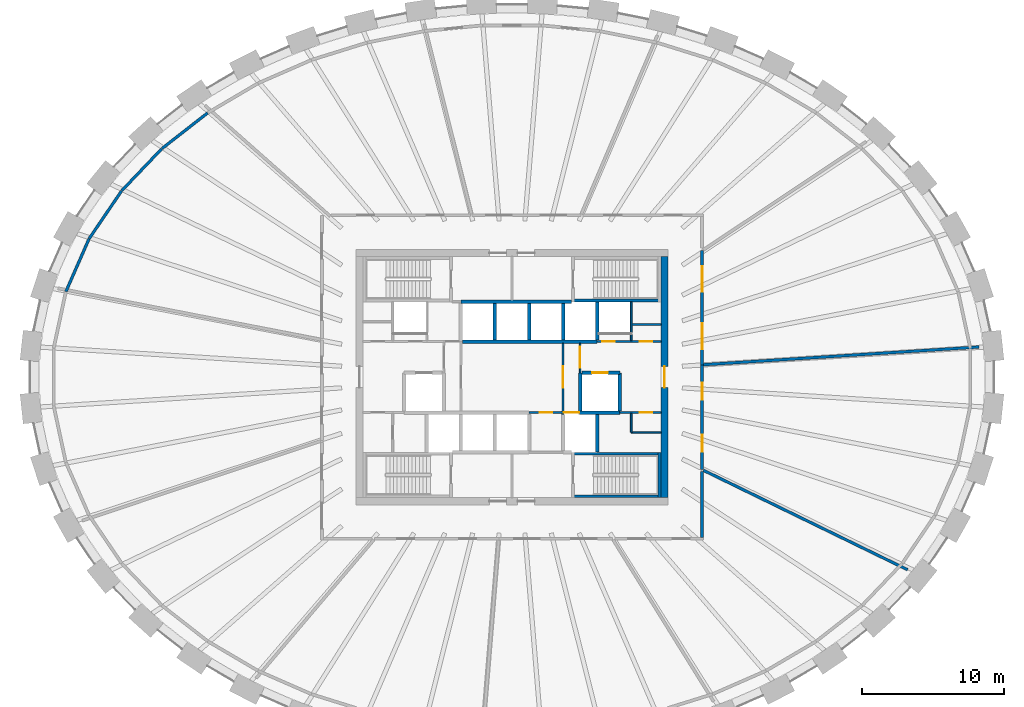
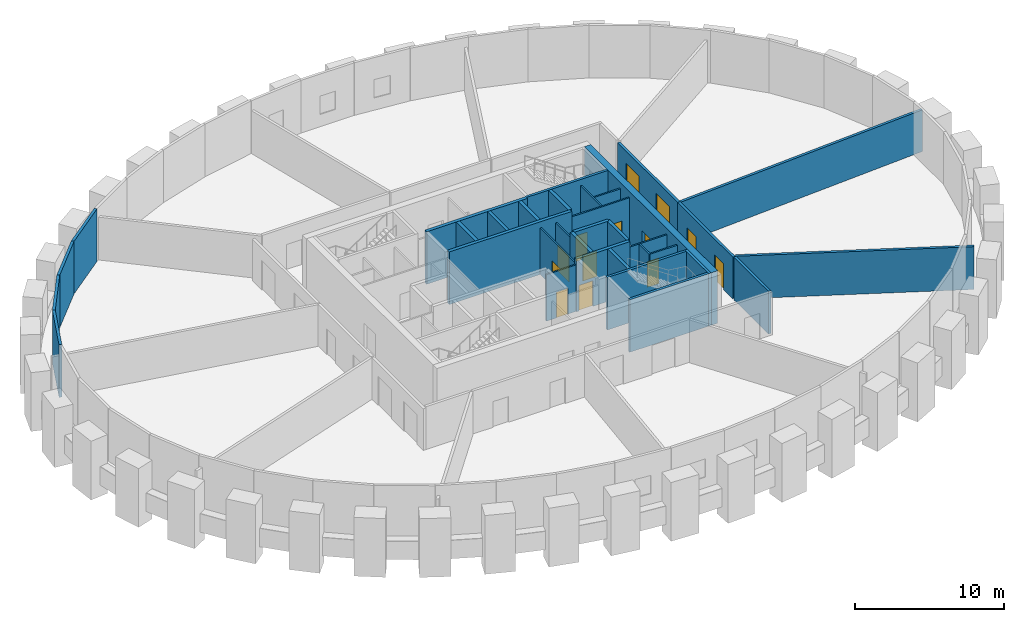
# One storey, part 5 of 8: 34 walls, 13 doors, 13 openings.
"""IFC4 building model written with IfcOpenShell, lengths in metres."""

from ifc_helpers import new_model, si_unit, direction, frame, frame_2d, origin, place, context, subcontext, project, spatial, rectangle, extrude, source, transform, mapped, material, layer, layer_set, type_object, element, fill, save


model = new_model("IFC4")

# Units and contexts
model_context = context("Model", 3, precision=1e-05, world=origin(), true_north=direction((0.0, 1.0)))
body_context = subcontext(model_context, "Body", "Model", "MODEL_VIEW")
ifc_project = project(units=[si_unit("LENGTHUNIT", "METRE"), si_unit("AREAUNIT", "SQUARE_METRE"), si_unit("VOLUMEUNIT", "CUBIC_METRE"), si_unit("PLANEANGLEUNIT", "RADIAN"), si_unit("MASSUNIT", "GRAM", prefix="KILO")], contexts=[model_context])

# Site, building, storey
site_placement = place(None, origin())
site = spatial("IfcSite", under=ifc_project, at=site_placement, CompositionType="ELEMENT")
building_placement = place(site_placement, origin())
building = spatial("IfcBuilding", under=site, at=building_placement, Name="Embergate Tower", CompositionType="ELEMENT")
storey_placement = place(building_placement, frame((0.0, 0.0, 241.60009765625)))
storey = spatial("IfcBuildingStorey", under=building, at=storey_placement, Name="L55", CompositionType="ELEMENT", Elevation=241.60009765625)

# Wall, opening, door
ifc_material_1 = material(Name="Concrete C50", Category="concrete")
ifc_layer_1 = layer(ifc_material_1, 0.5)
ifc_layer_set_1 = layer_set([ifc_layer_1], Name="Concrete C50")
wall_type_1 = type_object("IfcWallType", Name="Core outer wall C50 500", PredefinedType="SHEAR", material=ifc_layer_set_1)
shared_shape_1 = source(origin(), body_context, "Body", "SweptSolid", [
    extrude(rectangle(XDim=17.0, YDim=0.5, at=frame_2d((8.5, 0.0))), origin(), (0.0, 0.0, 1.0), 4.2998046875),
])
wall_1_placement = place(storey_placement, frame((10.75, -8.5, 0.0), z_axis=(0.0, 0.0, 1.0), x_axis=(0.0, 1.0, 0.0)))
wall_1 = element("IfcWall", 1, at=wall_1_placement, inside=storey, type_object=wall_type_1, Name="CW-L55-E", PredefinedType="SHEAR", context=body_context, shape_type="MappedRepresentation", body=[
    mapped(shared_shape_1, transform((0.0, 0.0, 0.0))),
])
shared_shape_2 = source(origin(), body_context, "Body", "SweptSolid", [
    extrude(rectangle(XDim=1.5, YDim=2.10009765625, at=frame_2d((0.75, 1.050048828125))), frame((0.0, 0.260009765625, 0.0), z_axis=(0.0, -1.0, 0.0), x_axis=(1.0, 0.0, 0.0)), (0.0, 0.0, 1.0), 0.52001953125),
])
opening_1_placement = place(wall_1_placement, frame((7.75, 0.0, 0.0)))
opening_1 = element("IfcOpeningElement", 2, at=opening_1_placement, cuts=wall_1, Name="Opening IF-3", PredefinedType="OPENING", context=body_context, shape_type="MappedRepresentation", body=[
    mapped(shared_shape_2, transform((0.0, 0.0, 0.0))),
])
ifc_material_2 = material(Name="Lobby fire door pair 1500")
door_type_1 = type_object("IfcDoorType", Name="Lobby fire door pair 1500", OperationType="DOUBLE_DOOR_SINGLE_SWING", PredefinedType="DOOR", material=ifc_material_2)
shared_shape_3 = source(origin(), body_context, "Body", "SweptSolid", [
    extrude(rectangle(XDim=1.5, YDim=2.10009765625, at=frame_2d((0.75, 1.050048828125))), frame((0.0, 0.02490234375, 0.0), z_axis=(0.0, -1.0, 0.0), x_axis=(1.0, 0.0, 0.0)), (0.0, 0.0, 1.0), 0.050048828125),
])
door_1_placement = place(opening_1_placement, origin())
door_1 = element("IfcDoor", 3, at=door_1_placement, inside=storey, type_object=door_type_1, Name="IF-3 door", OperationType="DOUBLE_DOOR_SINGLE_SWING", OverallHeight=2.10009765625, OverallWidth=1.5, PredefinedType="DOOR", context=body_context, shape_type="MappedRepresentation", body=[
    mapped(shared_shape_3, transform((0.0, 0.0, 0.0))),
])
fill(opening_1, door_1)

# Walls
ifc_material_3 = material(Name="Terracotta louvre cladding on insulated backing", Category="masonry")
ifc_layer_2 = layer(ifc_material_3, 0.199951171875)
ifc_layer_set_2 = layer_set([ifc_layer_2], Name="Terracotta louvre cladding on insulated backing")
wall_type_2 = type_object("IfcWallType", Name="Terracotta louvre wall", PredefinedType="SOLIDWALL", material=ifc_layer_set_2)
shared_shape_4 = source(origin(), body_context, "Body", "SweptSolid", [
    extrude(rectangle(XDim=4.057861328125, YDim=0.199951171875, at=frame_2d((2.02880859375, 0.0))), origin(), (0.0, 0.0, 1.0), 4.2998046875),
])
wall_2_placement = place(storey_placement, frame((-31.4345703125, 6.023193359375, 0.0), z_axis=(0.0, 0.0, 1.0), x_axis=(0.401667691824, 0.915785490901, 0.0)))
element("IfcWall", 4, at=wall_2_placement, inside=storey, type_object=wall_type_2, Name="Louvre wall 20", PredefinedType="SOLIDWALL", context=body_context, shape_type="MappedRepresentation", body=[
    mapped(shared_shape_4, transform((0.0, 0.0, 0.0))),
])
shared_shape_5 = source(origin(), body_context, "Body", "SweptSolid", [
    extrude(rectangle(XDim=4.066650390625, YDim=0.199951171875, at=frame_2d((2.033203125, 0.0))), origin(), (0.0, 0.0, 1.0), 4.2998046875),
])
wall_3_placement = place(storey_placement, frame((-29.794921875, 9.756591796875, 0.0), z_axis=(0.0, 0.0, 1.0), x_axis=(0.562337936213, 0.826907519312, 0.0)))
element("IfcWall", 5, at=wall_3_placement, inside=storey, type_object=wall_type_2, Name="Louvre wall 19", PredefinedType="SOLIDWALL", context=body_context, shape_type="MappedRepresentation", body=[
    mapped(shared_shape_5, transform((0.0, 0.0, 0.0))),
])
shared_shape_6 = source(origin(), body_context, "Body", "SweptSolid", [
    extrude(rectangle(XDim=4.0751953125, YDim=0.199951171875, at=frame_2d((2.03759765625, 0.0))), origin(), (0.0, 0.0, 1.0), 4.2998046875),
])
wall_4_placement = place(storey_placement, frame((-27.49560546875, 13.135009765625, 0.0), z_axis=(0.0, 0.0, 1.0), x_axis=(0.690133711383, 0.723681877908, 0.0)))
element("IfcWall", 6, at=wall_4_placement, inside=storey, type_object=wall_type_2, Name="Louvre wall 18", PredefinedType="SOLIDWALL", context=body_context, shape_type="MappedRepresentation", body=[
    mapped(shared_shape_6, transform((0.0, 0.0, 0.0))),
])
shared_shape_7 = source(origin(), body_context, "Body", "SweptSolid", [
    extrude(rectangle(XDim=4.0830078125, YDim=0.199951171875, at=frame_2d((2.04150390625, 0.0))), origin(), (0.0, 0.0, 1.0), 4.2998046875),
])
wall_5_placement = place(storey_placement, frame((-24.668212890625, 16.09765625, 0.0), z_axis=(0.0, 0.0, 1.0), x_axis=(0.788314368781, 0.615272667988, 0.0)))
element("IfcWall", 7, at=wall_5_placement, inside=storey, type_object=wall_type_2, Name="Louvre wall 17", PredefinedType="SOLIDWALL", context=body_context, shape_type="MappedRepresentation", body=[
    mapped(shared_shape_7, transform((0.0, 0.0, 0.0))),
])
ifc_layer_3 = layer(ifc_material_1, 0.25)
ifc_layer_set_3 = layer_set([ifc_layer_3], Name="Concrete C50")
wall_type_3 = type_object("IfcWallType", Name="Hoistway wall reinforced concrete 250", PredefinedType="SHEAR", material=ifc_layer_set_3)
shared_shape_8 = source(origin(), body_context, "Body", "SweptSolid", [
    extrude(rectangle(XDim=2.675048828125, YDim=0.25, at=frame_2d((1.33740234375, 0.0))), origin(), (0.0, 0.0, 1.0), 4.2998046875),
])
for number, where, z_axis, x_axis, name in (
    (8, (6.0, 2.625, 0.0), (0.0, 0.0, 1.0), (0.0, 1.0, 0.0), "HW-1 wall"),
    (9, (4.800048828125, -2.375, 0.0), (0.0, 0.0, 1.0), (0.0, 1.0, 0.0), "HW-1 wall"),
):
    element("IfcWall", number, at=place(storey_placement, frame(where, z_axis=z_axis, x_axis=x_axis)), inside=storey, type_object=wall_type_3, Name=name, PredefinedType="SHEAR", context=body_context, shape_type="MappedRepresentation", body=[
        mapped(shared_shape_8, transform((0.0, 0.0, 0.0))),
    ])

# Wall, opening, door
wall_6_placement = place(storey_placement, frame((7.60009765625, 0.300048828125, 0.0), z_axis=(0.0, 0.0, 1.0), x_axis=(-1.0, 0.0, 0.0)))
wall_6 = element("IfcWall", 10, at=wall_6_placement, inside=storey, type_object=wall_type_3, Name="HW-1 wall", PredefinedType="SHEAR", context=body_context, shape_type="MappedRepresentation", body=[
    mapped(shared_shape_8, transform((0.0, 0.0, 0.0))),
])
shared_shape_9 = source(origin(), body_context, "Body", "SweptSolid", [
    extrude(rectangle(XDim=1.10009765625, YDim=2.10009765625, at=frame_2d((0.550048828125, 1.050048828125))), frame((0.0, 0.135009765625, 0.0), z_axis=(0.0, -1.0, 0.0), x_axis=(1.0, 0.0, 0.0)), (0.0, 0.0, 1.0), 0.27001953125),
])
opening_2_placement = place(wall_6_placement, frame((0.85009765625, 0.0, 0.0)))
opening_2 = element("IfcOpeningElement", 11, at=opening_2_placement, cuts=wall_6, Name="Opening LD", PredefinedType="OPENING", context=body_context, shape_type="MappedRepresentation", body=[
    mapped(shared_shape_9, transform((0.0, 0.0, 0.0))),
])
ifc_material_4 = material(Name="Landing door sliding 1100")
door_type_2 = type_object("IfcDoorType", Name="Landing door sliding 1100", OperationType="SLIDING_TO_LEFT", PredefinedType="DOOR", material=ifc_material_4)
shared_shape_10 = source(origin(), body_context, "Body", "SweptSolid", [
    extrude(rectangle(XDim=1.10009765625, YDim=2.10009765625, at=frame_2d((0.550048828125, 1.050048828125))), frame((0.0, 0.02490234375, 0.0), z_axis=(0.0, -1.0, 0.0), x_axis=(1.0, 0.0, 0.0)), (0.0, 0.0, 1.0), 0.050048828125),
])
door_2_placement = place(opening_2_placement, origin())
door_2 = element("IfcDoor", 12, at=door_2_placement, inside=storey, type_object=door_type_2, Name="LD door", OperationType="SLIDING_TO_LEFT", OverallHeight=2.10009765625, OverallWidth=1.10009765625, PredefinedType="DOOR", context=body_context, shape_type="MappedRepresentation", body=[
    mapped(shared_shape_10, transform((0.0, 0.0, 0.0))),
])
fill(opening_2, door_2)

# Walls
wall_7_placement = place(storey_placement, frame((7.60009765625, -2.375, 0.0), z_axis=(0.0, 0.0, 1.0), x_axis=(0.0, 1.0, 0.0)))
element("IfcWall", 13, at=wall_7_placement, inside=storey, type_object=wall_type_3, Name="HW-1 wall", PredefinedType="SHEAR", context=body_context, shape_type="MappedRepresentation", body=[
    mapped(shared_shape_8, transform((0.0, 0.0, 0.0))),
])
ifc_layer_4 = layer(ifc_material_1, 0.199951171875)
ifc_layer_set_4 = layer_set([ifc_layer_4], Name="Concrete C50")
wall_type_4 = type_object("IfcWallType", Name="Stair enclosure wall reinforced concrete 250", PredefinedType="SHEAR", material=ifc_layer_set_4)
shared_shape_11 = source(origin(), body_context, "Body", "SweptSolid", [
    extrude(rectangle(XDim=6.300048828125, YDim=0.199951171875, at=frame_2d((3.14990234375, 0.0))), origin(), (0.0, 0.0, 1.0), 4.2998046875),
])
for number, where, z_axis, x_axis, name in (
    (14, (10.5, 5.39990234375, 0.0), (0.0, 0.0, 1.0), (-1.0, 0.0, 0.0), "SE-1 wall"),
    (15, (4.199951171875, -5.39990234375, 0.0), (0.0, 0.0, 1.0), (1.0, 0.0, 0.0), "SE-1 wall"),
):
    element("IfcWall", number, at=place(storey_placement, frame(where, z_axis=z_axis, x_axis=x_axis)), inside=storey, type_object=wall_type_4, Name=name, PredefinedType="SHEAR", context=body_context, shape_type="MappedRepresentation", body=[
        mapped(shared_shape_11, transform((0.0, 0.0, 0.0))),
    ])
shared_shape_12 = source(origin(), body_context, "Body", "SweptSolid", [
    extrude(rectangle(XDim=2.550048828125, YDim=0.25, at=frame_2d((1.27490234375, 0.0))), origin(), (0.0, 0.0, 1.0), 4.2998046875),
])
for number, where, z_axis, x_axis, name in (
    (16, (-1.199951171875, 2.625, 0.0), (0.0, 0.0, 1.0), (0.0, 1.0, 0.0), "HW-1 wall"),
    (17, (1.199951171875, 2.625, 0.0), (0.0, 0.0, 1.0), (0.0, 1.0, 0.0), "HW-1 wall"),
    (18, (3.60009765625, 2.625, 0.0), (0.0, 0.0, 1.0), (0.0, 1.0, 0.0), "HW-1 wall"),
):
    element("IfcWall", number, at=place(storey_placement, frame(where, z_axis=z_axis, x_axis=x_axis)), inside=storey, type_object=wall_type_3, Name=name, PredefinedType="SHEAR", context=body_context, shape_type="MappedRepresentation", body=[
        mapped(shared_shape_12, transform((0.0, 0.0, 0.0))),
    ])

# Wall, opening, door
ifc_material_5 = material(Name="Core partition blockwork 120")
ifc_layer_5 = layer(ifc_material_5, 0.1201171875)
ifc_layer_set_5 = layer_set([ifc_layer_5], Name="Core partition blockwork 120")
wall_type_5 = type_object("IfcWallType", Name="Core partition blockwork 120", PredefinedType="PARTITIONING", material=ifc_layer_set_5)
shared_shape_13 = source(origin(), body_context, "Body", "SweptSolid", [
    extrude(rectangle(XDim=4.75, YDim=0.1201171875, at=frame_2d((2.375, 0.0))), origin(), (0.0, 0.0, 1.0), 3.7998046875),
])
wall_8_placement = place(storey_placement, frame((3.60009765625, -2.375, 0.0), z_axis=(0.0, 0.0, 1.0), x_axis=(0.0, 1.0, 0.0)))
wall_8 = element("IfcWall", 19, at=wall_8_placement, inside=storey, type_object=wall_type_5, Name="IP-3 wall", PredefinedType="PARTITIONING", context=body_context, shape_type="MappedRepresentation", body=[
    mapped(shared_shape_13, transform((0.0, 0.0, 0.0))),
])
shared_shape_14 = source(origin(), body_context, "Body", "SweptSolid", [
    extrude(rectangle(XDim=1.5, YDim=2.10009765625, at=frame_2d((0.75, 1.050048828125))), frame((0.0, 0.070068359375, 0.0), z_axis=(0.0, -1.0, 0.0), x_axis=(1.0, 0.0, 0.0)), (0.0, 0.0, 1.0), 0.14013671875),
])
opening_3_placement = place(wall_8_placement, frame((1.625, 0.0, 0.0)))
opening_3 = element("IfcOpeningElement", 20, at=opening_3_placement, cuts=wall_8, Name="Opening IF-3", PredefinedType="OPENING", context=body_context, shape_type="MappedRepresentation", body=[
    mapped(shared_shape_14, transform((0.0, 0.0, 0.0))),
])
door_3_placement = place(opening_3_placement, origin())
door_3 = element("IfcDoor", 21, at=door_3_placement, inside=storey, type_object=door_type_1, Name="IF-3 door", OperationType="DOUBLE_DOOR_SINGLE_SWING", OverallHeight=2.10009765625, OverallWidth=1.5, PredefinedType="DOOR", context=body_context, shape_type="MappedRepresentation", body=[
    mapped(shared_shape_3, transform((0.0, 0.0, 0.0))),
])
fill(opening_3, door_3)

shared_shape_15 = source(origin(), body_context, "Body", "SweptSolid", [
    extrude(rectangle(XDim=2.074951171875, YDim=0.1201171875, at=frame_2d((1.03759765625, 0.0))), origin(), (0.0, 0.0, 1.0), 3.7998046875),
])
wall_9_placement = place(storey_placement, frame((4.800048828125, 0.300048828125, 0.0), z_axis=(0.0, 0.0, 1.0), x_axis=(0.0, 1.0, 0.0)))
wall_9 = element("IfcWall", 22, at=wall_9_placement, inside=storey, type_object=wall_type_5, Name="IP-3 wall", PredefinedType="PARTITIONING", context=body_context, shape_type="MappedRepresentation", body=[
    mapped(shared_shape_15, transform((0.0, 0.0, 0.0))),
])
opening_4_placement = place(wall_9_placement, frame((0.35009765625, 0.0, 0.0)))
opening_4 = element("IfcOpeningElement", 23, at=opening_4_placement, cuts=wall_9, Name="Opening IF-3", PredefinedType="OPENING", context=body_context, shape_type="MappedRepresentation", body=[
    mapped(shared_shape_14, transform((0.0, 0.0, 0.0))),
])
door_4_placement = place(opening_4_placement, origin())
door_4 = element("IfcDoor", 24, at=door_4_placement, inside=storey, type_object=door_type_1, Name="IF-3 door", OperationType="DOUBLE_DOOR_SINGLE_SWING", OverallHeight=2.10009765625, OverallWidth=1.5, PredefinedType="DOOR", context=body_context, shape_type="MappedRepresentation", body=[
    mapped(shared_shape_3, transform((0.0, 0.0, 0.0))),
])
fill(opening_4, door_4)

# Walls
shared_shape_16 = source(origin(), body_context, "Body", "SweptSolid", [
    extrude(rectangle(XDim=3.199951171875, YDim=0.199951171875, at=frame_2d((1.60009765625, 0.0))), origin(), (0.0, 0.0, 1.0), 4.2998046875),
])
wall_10_placement = place(storey_placement, frame((10.39990234375, -8.5, 0.0), z_axis=(0.0, 0.0, 1.0), x_axis=(0.0, 1.0, 0.0)))
element("IfcWall", 25, at=wall_10_placement, inside=storey, type_object=wall_type_4, Name="SE-1 wall", PredefinedType="SHEAR", context=body_context, shape_type="MappedRepresentation", body=[
    mapped(shared_shape_16, transform((0.0, 0.0, 0.0))),
])
shared_shape_17 = source(origin(), body_context, "Body", "SweptSolid", [
    extrude(rectangle(XDim=2.671142578125, YDim=0.25, at=frame_2d((1.33544921875, 0.0))), origin(), (0.0, 0.0, 1.0), 4.2998046875),
])
wall_11_placement = place(storey_placement, frame((6.0, -5.298095703125, 0.0), z_axis=(0.0, 0.0, 1.0), x_axis=(0.0, 1.0, 0.0)))
element("IfcWall", 26, at=wall_11_placement, inside=storey, type_object=wall_type_3, Name="HW-1 wall", PredefinedType="SHEAR", context=body_context, shape_type="MappedRepresentation", body=[
    mapped(shared_shape_17, transform((0.0, 0.0, 0.0))),
])
shared_shape_18 = source(origin(), body_context, "Body", "SweptSolid", [
    extrude(rectangle(XDim=2.738037109375, YDim=0.1201171875, at=frame_2d((1.369140625, 0.0))), origin(), (0.0, 0.0, 1.0), 3.7998046875),
])
wall_12_placement = place(storey_placement, frame((8.39990234375, 2.56005859375, 0.0), z_axis=(0.0, 0.0, 1.0), x_axis=(0.0, 1.0, 0.0)))
element("IfcWall", 27, at=wall_12_placement, inside=storey, type_object=wall_type_5, Name="IP-3 wall", PredefinedType="PARTITIONING", context=body_context, shape_type="MappedRepresentation", body=[
    mapped(shared_shape_18, transform((0.0, 0.0, 0.0))),
])
shared_shape_19 = source(origin(), body_context, "Body", "SweptSolid", [
    extrude(rectangle(XDim=9.47509765625, YDim=0.25, at=frame_2d((4.737548828125, 0.0))), origin(), (0.0, 0.0, 1.0), 4.2998046875),
])
wall_13_placement = place(storey_placement, frame((-3.47509765625, 2.5, 0.0), z_axis=(0.0, 0.0, 1.0), x_axis=(1.0, 0.0, 0.0)))
element("IfcWall", 28, at=wall_13_placement, inside=storey, type_object=wall_type_3, Name="HW-1 wall", PredefinedType="SHEAR", context=body_context, shape_type="MappedRepresentation", body=[
    mapped(shared_shape_19, transform((0.0, 0.0, 0.0))),
])
shared_shape_20 = source(origin(), body_context, "Body", "SweptSolid", [
    extrude(rectangle(XDim=7.800048828125, YDim=0.25, at=frame_2d((3.89990234375, 0.0))), origin(), (0.0, 0.0, 1.0), 4.2998046875),
])
wall_14_placement = place(storey_placement, frame((4.199951171875, 5.300048828125, 0.0), z_axis=(0.0, 0.0, 1.0), x_axis=(-1.0, 0.0, 0.0)))
element("IfcWall", 29, at=wall_14_placement, inside=storey, type_object=wall_type_3, Name="HW-1 wall", PredefinedType="SHEAR", context=body_context, shape_type="MappedRepresentation", body=[
    mapped(shared_shape_20, transform((0.0, 0.0, 0.0))),
])

# Wall, openings, doors
shared_shape_21 = source(origin(), body_context, "Body", "SweptSolid", [
    extrude(rectangle(XDim=4.5, YDim=0.1201171875, at=frame_2d((2.25, 0.0))), origin(), (0.0, 0.0, 1.0), 3.7998046875),
])
wall_15_placement = place(storey_placement, frame((6.0, 2.5, 0.0), z_axis=(0.0, 0.0, 1.0), x_axis=(1.0, 0.0, 0.0)))
wall_15 = element("IfcWall", 30, at=wall_15_placement, inside=storey, type_object=wall_type_5, Name="IP-3 wall", PredefinedType="PARTITIONING", context=body_context, shape_type="MappedRepresentation", body=[
    mapped(shared_shape_21, transform((0.0, 0.0, 0.0))),
])
shared_shape_22 = source(origin(), body_context, "Body", "SweptSolid", [
    extrude(rectangle(XDim=0.89990234375, YDim=2.10009765625, at=frame_2d((0.449951171875, 1.050048828125))), frame((0.0, 0.070068359375, 0.0), z_axis=(0.0, -1.0, 0.0), x_axis=(1.0, 0.0, 0.0)), (0.0, 0.0, 1.0), 0.14013671875),
])
opening_5_placement = place(wall_15_placement, frame((0.35009765625, 0.0, 0.0)))
opening_5 = element("IfcOpeningElement", 31, at=opening_5_placement, cuts=wall_15, Name="Opening ID-1", PredefinedType="OPENING", context=body_context, shape_type="MappedRepresentation", body=[
    mapped(shared_shape_22, transform((0.0, 0.0, 0.0))),
])
opening_6_placement = place(wall_15_placement, frame((3.0, 0.0, 0.0)))
opening_6 = element("IfcOpeningElement", 32, at=opening_6_placement, cuts=wall_15, Name="Opening ID-1", PredefinedType="OPENING", context=body_context, shape_type="MappedRepresentation", body=[
    mapped(shared_shape_22, transform((0.0, 0.0, 0.0))),
])
ifc_material_6 = material(Name="Interior door 900")
door_type_3 = type_object("IfcDoorType", Name="Interior door 900", OperationType="SINGLE_SWING_LEFT", PredefinedType="DOOR", material=ifc_material_6)
shared_shape_23 = source(origin(), body_context, "Body", "SweptSolid", [
    extrude(rectangle(XDim=0.89990234375, YDim=2.10009765625, at=frame_2d((0.449951171875, 1.050048828125))), frame((0.0, 0.02490234375, 0.0), z_axis=(0.0, -1.0, 0.0), x_axis=(1.0, 0.0, 0.0)), (0.0, 0.0, 1.0), 0.050048828125),
])
door_5_placement = place(opening_5_placement, origin())
door_5 = element("IfcDoor", 33, at=door_5_placement, inside=storey, type_object=door_type_3, Name="ID-1 door", OperationType="SINGLE_SWING_RIGHT", OverallHeight=2.10009765625, OverallWidth=0.89990234375, PredefinedType="DOOR", context=body_context, shape_type="MappedRepresentation", body=[
    mapped(shared_shape_23, transform((0.0, 0.0, 0.0))),
])
fill(opening_5, door_5)
door_6_placement = place(opening_6_placement, origin())
door_6 = element("IfcDoor", 34, at=door_6_placement, inside=storey, type_object=door_type_3, Name="ID-1 door", OperationType="SINGLE_SWING_LEFT", OverallHeight=2.10009765625, OverallWidth=0.89990234375, PredefinedType="DOOR", context=body_context, shape_type="MappedRepresentation", body=[
    mapped(shared_shape_23, transform((0.0, 0.0, 0.0))),
])
fill(opening_6, door_6)

# Wall, opening, door
shared_shape_24 = source(origin(), body_context, "Body", "SweptSolid", [
    extrude(rectangle(XDim=4.122802734375, YDim=0.25, at=frame_2d((2.0615234375, 0.0))), origin(), (0.0, 0.0, 1.0), 4.2998046875),
])
wall_16_placement = place(storey_placement, frame((7.597900390625, -2.5, 0.0), z_axis=(0.0, 0.0, 1.0), x_axis=(-1.0, 0.0, 0.0)))
wall_16 = element("IfcWall", 35, at=wall_16_placement, inside=storey, type_object=wall_type_3, Name="HW-1 wall", PredefinedType="SHEAR", context=body_context, shape_type="MappedRepresentation", body=[
    mapped(shared_shape_24, transform((0.0, 0.0, 0.0))),
])
opening_7_placement = place(wall_16_placement, frame((2.847900390625, 0.0, 0.0)))
opening_7 = element("IfcOpeningElement", 36, at=opening_7_placement, cuts=wall_16, Name="Opening LD", PredefinedType="OPENING", context=body_context, shape_type="MappedRepresentation", body=[
    mapped(shared_shape_9, transform((0.0, 0.0, 0.0))),
])
door_7_placement = place(opening_7_placement, origin())
door_7 = element("IfcDoor", 37, at=door_7_placement, inside=storey, type_object=door_type_2, Name="LD door", OperationType="SLIDING_TO_RIGHT", OverallHeight=2.10009765625, OverallWidth=1.10009765625, PredefinedType="DOOR", context=body_context, shape_type="MappedRepresentation", body=[
    mapped(shared_shape_10, transform((0.0, 0.0, 0.0))),
])
fill(opening_7, door_7)

shared_shape_25 = source(origin(), body_context, "Body", "SweptSolid", [
    extrude(rectangle(XDim=2.400146484375, YDim=0.1201171875, at=frame_2d((1.2001953125, 0.0))), origin(), (0.0, 0.0, 1.0), 3.7998046875),
])
wall_17_placement = place(storey_placement, frame((1.199951171875, -2.5, 0.0), z_axis=(0.0, 0.0, 1.0), x_axis=(1.0, 0.0, 0.0)))
wall_17 = element("IfcWall", 38, at=wall_17_placement, inside=storey, type_object=wall_type_5, Name="IP-3 wall", PredefinedType="PARTITIONING", context=body_context, shape_type="MappedRepresentation", body=[
    mapped(shared_shape_25, transform((0.0, 0.0, 0.0))),
])
opening_8_placement = place(wall_17_placement, frame((0.75, 0.0, 0.0)))
opening_8 = element("IfcOpeningElement", 39, at=opening_8_placement, cuts=wall_17, Name="Opening ID-1", PredefinedType="OPENING", context=body_context, shape_type="MappedRepresentation", body=[
    mapped(shared_shape_22, transform((0.0, 0.0, 0.0))),
])
door_8_placement = place(opening_8_placement, origin())
door_8 = element("IfcDoor", 40, at=door_8_placement, inside=storey, type_object=door_type_3, Name="ID-1 door", OperationType="SINGLE_SWING_LEFT", OverallHeight=2.10009765625, OverallWidth=0.89990234375, PredefinedType="DOOR", context=body_context, shape_type="MappedRepresentation", body=[
    mapped(shared_shape_23, transform((0.0, 0.0, 0.0))),
])
fill(opening_8, door_8)

shared_shape_26 = source(origin(), body_context, "Body", "SweptSolid", [
    extrude(rectangle(XDim=2.89794921875, YDim=0.1201171875, at=frame_2d((1.448974609375, 0.0))), origin(), (0.0, 0.0, 1.0), 3.7998046875),
])
wall_18_placement = place(storey_placement, frame((7.60205078125, -2.5, 0.0), z_axis=(0.0, 0.0, 1.0), x_axis=(1.0, 0.0, 0.0)))
wall_18 = element("IfcWall", 41, at=wall_18_placement, inside=storey, type_object=wall_type_5, Name="IP-3 wall", PredefinedType="PARTITIONING", context=body_context, shape_type="MappedRepresentation", body=[
    mapped(shared_shape_26, transform((0.0, 0.0, 0.0))),
])
opening_9_placement = place(wall_18_placement, frame((1.39794921875, 0.0, 0.0)))
opening_9 = element("IfcOpeningElement", 42, at=opening_9_placement, cuts=wall_18, Name="Opening ID-1", PredefinedType="OPENING", context=body_context, shape_type="MappedRepresentation", body=[
    mapped(shared_shape_22, transform((0.0, 0.0, 0.0))),
])
door_9_placement = place(opening_9_placement, origin())
door_9 = element("IfcDoor", 43, at=door_9_placement, inside=storey, type_object=door_type_3, Name="ID-1 door", OperationType="SINGLE_SWING_RIGHT", OverallHeight=2.10009765625, OverallWidth=0.89990234375, PredefinedType="DOOR", context=body_context, shape_type="MappedRepresentation", body=[
    mapped(shared_shape_23, transform((0.0, 0.0, 0.0))),
])
fill(opening_9, door_9)

# Walls
shared_shape_27 = source(origin(), body_context, "Body", "SweptSolid", [
    extrude(rectangle(XDim=6.298095703125, YDim=0.199951171875, at=frame_2d((3.14892578125, 0.0))), origin(), (0.0, 0.0, 1.0), 4.2998046875),
])
wall_19_placement = place(storey_placement, frame((4.201904296875, -8.39990234375, 0.0), z_axis=(0.0, 0.0, 1.0), x_axis=(1.0, 0.0, 0.0)))
element("IfcWall", 44, at=wall_19_placement, inside=storey, type_object=wall_type_4, Name="SE-1 wall", PredefinedType="SHEAR", context=body_context, shape_type="MappedRepresentation", body=[
    mapped(shared_shape_27, transform((0.0, 0.0, 0.0))),
])
shared_shape_28 = source(origin(), body_context, "Body", "SweptSolid", [
    extrude(rectangle(XDim=2.0380859375, YDim=0.1201171875, at=frame_2d((1.01904296875, 0.0))), origin(), (0.0, 0.0, 1.0), 3.7998046875),
])
wall_20_placement = place(storey_placement, frame((10.5, 3.7041015625, 0.0), z_axis=(0.0, 0.0, 1.0), x_axis=(-1.0, 0.0, 0.0)))
element("IfcWall", 45, at=wall_20_placement, inside=storey, type_object=wall_type_5, Name="IP-3 wall", PredefinedType="PARTITIONING", context=body_context, shape_type="MappedRepresentation", body=[
    mapped(shared_shape_28, transform((0.0, 0.0, 0.0))),
])
shared_shape_29 = source(origin(), body_context, "Body", "SweptSolid", [
    extrude(rectangle(XDim=1.337890625, YDim=0.1201171875, at=frame_2d((0.6689453125, 0.0))), origin(), (0.0, 0.0, 1.0), 3.7998046875),
])
wall_21_placement = place(storey_placement, frame((8.39990234375, -2.56201171875, 0.0), z_axis=(0.0, 0.0, 1.0), x_axis=(0.0, -1.0, 0.0)))
element("IfcWall", 46, at=wall_21_placement, inside=storey, type_object=wall_type_5, Name="IP-3 wall", PredefinedType="PARTITIONING", context=body_context, shape_type="MappedRepresentation", body=[
    mapped(shared_shape_29, transform((0.0, 0.0, 0.0))),
])
shared_shape_30 = source(origin(), body_context, "Body", "SweptSolid", [
    extrude(rectangle(XDim=2.10009765625, YDim=0.1201171875, at=frame_2d((1.050048828125, 0.0))), origin(), (0.0, 0.0, 1.0), 3.7998046875),
])
wall_22_placement = place(storey_placement, frame((8.39990234375, -3.89990234375, 0.0), z_axis=(0.0, 0.0, 1.0), x_axis=(1.0, 0.0, 0.0)))
element("IfcWall", 47, at=wall_22_placement, inside=storey, type_object=wall_type_5, Name="IP-3 wall", PredefinedType="PARTITIONING", context=body_context, shape_type="MappedRepresentation", body=[
    mapped(shared_shape_30, transform((0.0, 0.0, 0.0))),
])
ifc_material_7 = material(Name="Blockwork, plastered", Category="masonry")
ifc_layer_6 = layer(ifc_material_7, 0.199951171875)
ifc_layer_set_6 = layer_set([ifc_layer_6], Name="Blockwork, plastered")
wall_type_6 = type_object("IfcWallType", Name="Fire partition wall 200 block", PredefinedType="PARTITIONING", material=ifc_layer_set_6)
shared_shape_31 = source(origin(), body_context, "Body", "SweptSolid", [
    extrude(rectangle(XDim=4.632080078125, YDim=0.199951171875, at=frame_2d((2.31591796875, 0.0))), origin(), (0.0, 0.0, 1.0), 3.5),
])
wall_23_placement = place(storey_placement, frame((13.39990234375, -6.66796875, 0.0), z_axis=(0.0, 0.0, 1.0), x_axis=(0.0, -1.0, 0.0)))
element("IfcWall", 48, at=wall_23_placement, inside=storey, type_object=wall_type_6, Name="Partition 019", PredefinedType="PARTITIONING", context=body_context, shape_type="MappedRepresentation", body=[
    mapped(shared_shape_31, transform((0.0, 0.0, 0.0))),
])
shared_shape_32 = source(origin(), body_context, "Body", "SweptSolid", [
    extrude(rectangle(XDim=15.99951171875, YDim=0.199951171875, at=frame_2d((7.999755859375, 0.0))), origin(), (0.0, 0.0, 1.0), 3.5),
])
wall_24_placement = place(storey_placement, frame((13.489990234375, -6.572021484375, 0.0), z_axis=(0.0, 0.0, 1.0), x_axis=(0.899032845172, -0.437881197703, 0.0)))
element("IfcWall", 49, at=wall_24_placement, inside=storey, type_object=wall_type_6, Name="Partition 020", PredefinedType="PARTITIONING", context=body_context, shape_type="MappedRepresentation", body=[
    mapped(shared_shape_32, transform((0.0, 0.0, 0.0))),
])

# Wall, openings, doors
shared_shape_33 = source(origin(), body_context, "Body", "SweptSolid", [
    extrude(rectangle(XDim=7.39111328125, YDim=0.199951171875, at=frame_2d((3.695556640625, 0.0))), origin(), (0.0, 0.0, 1.0), 3.39990234375),
])
wall_25_placement = place(storey_placement, frame((13.39990234375, 0.863037109375, 0.0), z_axis=(0.0, 0.0, 1.0), x_axis=(0.0, -1.0, 0.0)))
wall_25 = element("IfcWall", 50, at=wall_25_placement, inside=storey, type_object=wall_type_6, Name="Partition 021", PredefinedType="PARTITIONING", context=body_context, shape_type="MappedRepresentation", body=[
    mapped(shared_shape_33, transform((0.0, 0.0, 0.0))),
])
shared_shape_34 = source(origin(), body_context, "Body", "SweptSolid", [
    extrude(rectangle(XDim=1.199951171875, YDim=2.10009765625, at=frame_2d((0.60009765625, 1.050048828125))), frame((0.0, 0.10986328125, 0.0), z_axis=(0.0, -1.0, 0.0), x_axis=(1.0, 0.0, 0.0)), (0.0, 0.0, 1.0), 0.219970703125),
])
opening_10_placement = place(wall_25_placement, frame((1.248046875, 0.0, 0.0)))
opening_10 = element("IfcOpeningElement", 51, at=opening_10_placement, cuts=wall_25, Name="Opening DS-241", PredefinedType="OPENING", context=body_context, shape_type="MappedRepresentation", body=[
    mapped(shared_shape_34, transform((0.0, 0.0, 0.0))),
])
opening_11_placement = place(wall_25_placement, frame((4.943115234375, 0.0, 0.0)))
opening_11 = element("IfcOpeningElement", 52, at=opening_11_placement, cuts=wall_25, Name="Opening DS-242", PredefinedType="OPENING", context=body_context, shape_type="MappedRepresentation", body=[
    mapped(shared_shape_34, transform((0.0, 0.0, 0.0))),
])
ifc_material_8 = material(Name="Timber door leaf, steel frame", Category="steel")
door_type_4 = type_object("IfcDoorType", Name="Plant door 1200x2100", OperationType="SINGLE_SWING_LEFT", PredefinedType="DOOR", material=ifc_material_8)
shared_shape_35 = source(origin(), body_context, "Body", "SweptSolid", [
    extrude(rectangle(XDim=1.199951171875, YDim=2.10009765625, at=frame_2d((0.60009765625, 1.050048828125))), frame((0.0, 0.02490234375, 0.0), z_axis=(0.0, -1.0, 0.0), x_axis=(1.0, 0.0, 0.0)), (0.0, 0.0, 1.0), 0.050048828125),
])
door_10_placement = place(opening_10_placement, origin())
door_10 = element("IfcDoor", 53, at=door_10_placement, inside=storey, type_object=door_type_4, Name="Door to Pump plant room", OperationType="SINGLE_SWING_LEFT", OverallHeight=2.10009765625, OverallWidth=1.199951171875, PredefinedType="DOOR", context=body_context, shape_type="MappedRepresentation", body=[
    mapped(shared_shape_35, transform((0.0, 0.0, 0.0))),
])
fill(opening_10, door_10)
door_11_placement = place(opening_11_placement, origin())
door_11 = element("IfcDoor", 54, at=door_11_placement, inside=storey, type_object=door_type_4, Name="Door to Pump plant room", OperationType="SINGLE_SWING_LEFT", OverallHeight=2.10009765625, OverallWidth=1.199951171875, PredefinedType="DOOR", context=body_context, shape_type="MappedRepresentation", body=[
    mapped(shared_shape_35, transform((0.0, 0.0, 0.0))),
])
fill(opening_11, door_11)

shared_shape_36 = source(origin(), body_context, "Body", "SweptSolid", [
    extrude(rectangle(XDim=8.046875, YDim=0.199951171875, at=frame_2d((4.0234375, 0.0))), origin(), (0.0, 0.0, 1.0), 3.39990234375),
])
wall_26_placement = place(storey_placement, frame((13.39990234375, 8.909912109375, 0.0), z_axis=(0.0, 0.0, 1.0), x_axis=(0.0, -1.0, 0.0)))
wall_26 = element("IfcWall", 55, at=wall_26_placement, inside=storey, type_object=wall_type_6, Name="Partition 022", PredefinedType="PARTITIONING", context=body_context, shape_type="MappedRepresentation", body=[
    mapped(shared_shape_36, transform((0.0, 0.0, 0.0))),
])
shared_shape_37 = source(origin(), body_context, "Body", "SweptSolid", [
    extrude(rectangle(XDim=1.800048828125, YDim=2.39990234375, at=frame_2d((0.89990234375, 1.199951171875))), frame((0.0, 0.10986328125, 0.0), z_axis=(0.0, -1.0, 0.0), x_axis=(1.0, 0.0, 0.0)), (0.0, 0.0, 1.0), 0.219970703125),
])
opening_12_placement = place(wall_26_placement, frame((1.112060546875, 0.0, 0.0)))
opening_12 = element("IfcOpeningElement", 56, at=opening_12_placement, cuts=wall_26, Name="Opening DS-221", PredefinedType="OPENING", context=body_context, shape_type="MappedRepresentation", body=[
    mapped(shared_shape_37, transform((0.0, 0.0, 0.0))),
])
opening_13_placement = place(wall_26_placement, frame((5.135009765625, 0.0, 0.0)))
opening_13 = element("IfcOpeningElement", 57, at=opening_13_placement, cuts=wall_26, Name="Opening DS-222", PredefinedType="OPENING", context=body_context, shape_type="MappedRepresentation", body=[
    mapped(shared_shape_37, transform((0.0, 0.0, 0.0))),
])
door_type_5 = type_object("IfcDoorType", Name="Double door 1800x2400", OperationType="DOUBLE_DOOR_SINGLE_SWING", PredefinedType="DOOR", material=ifc_material_8)
shared_shape_38 = source(origin(), body_context, "Body", "SweptSolid", [
    extrude(rectangle(XDim=1.800048828125, YDim=2.39990234375, at=frame_2d((0.89990234375, 1.199951171875))), frame((0.0, 0.02490234375, 0.0), z_axis=(0.0, -1.0, 0.0), x_axis=(1.0, 0.0, 0.0)), (0.0, 0.0, 1.0), 0.050048828125),
])
door_12_placement = place(opening_12_placement, origin())
door_12 = element("IfcDoor", 58, at=door_12_placement, inside=storey, type_object=door_type_5, Name="Door to Refuge area", OperationType="SINGLE_SWING_LEFT", OverallHeight=2.39990234375, OverallWidth=1.800048828125, PredefinedType="DOOR", context=body_context, shape_type="MappedRepresentation", body=[
    mapped(shared_shape_38, transform((0.0, 0.0, 0.0))),
])
fill(opening_12, door_12)
door_13_placement = place(opening_13_placement, origin())
door_13 = element("IfcDoor", 59, at=door_13_placement, inside=storey, type_object=door_type_5, Name="Door to Refuge area", OperationType="SINGLE_SWING_LEFT", OverallHeight=2.39990234375, OverallWidth=1.800048828125, PredefinedType="DOOR", context=body_context, shape_type="MappedRepresentation", body=[
    mapped(shared_shape_38, transform((0.0, 0.0, 0.0))),
])
fill(opening_13, door_13)

# Wall
shared_shape_39 = source(origin(), body_context, "Body", "SweptSolid", [
    extrude(rectangle(XDim=19.451171875, YDim=0.199951171875, at=frame_2d((9.7255859375, 0.0))), origin(), (0.0, 0.0, 1.0), 3.39990234375),
])
wall_27_placement = place(storey_placement, frame((32.910888671875, 2.118896484375, 0.0), z_axis=(0.0, 0.0, 1.0), x_axis=(-0.997932949895, -0.064263734054, 0.0)))
element("IfcWall", 60, at=wall_27_placement, inside=storey, type_object=wall_type_6, Name="Partition 025", PredefinedType="PARTITIONING", context=body_context, shape_type="MappedRepresentation", body=[
    mapped(shared_shape_39, transform((0.0, 0.0, 0.0))),
])

save(model, "model.ifc")
